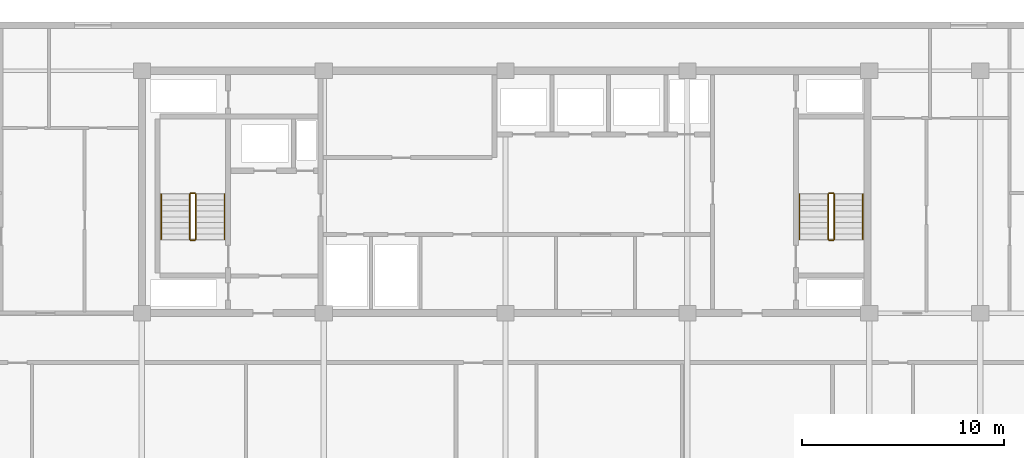
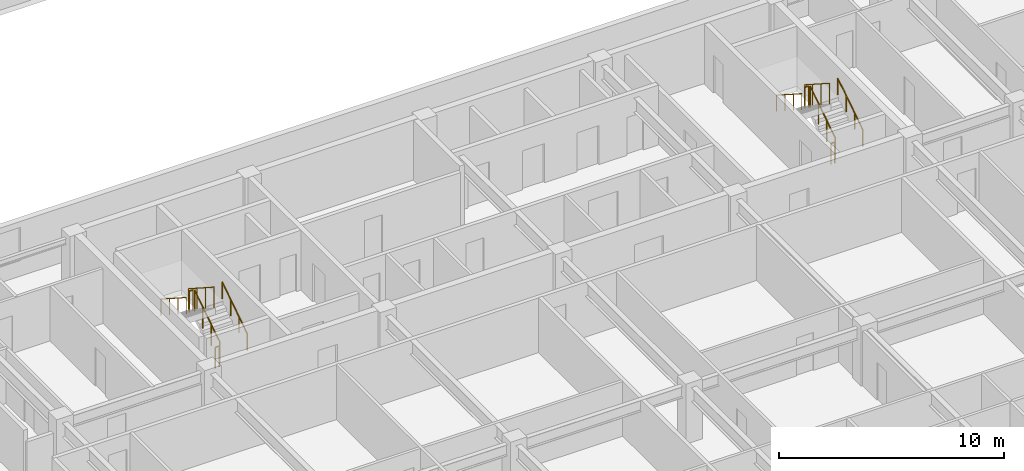
# One storey, part 19 of 22: 12 railings.
"""IFC4 building model written with IfcOpenShell, lengths in metres."""

from ifc_helpers import new_model, si_unit, direction, frame, origin, origin_2d, place, context, subcontext, project, spatial, circle, extrude, material, type_object, element, save


model = new_model("IFC4")

# Units and contexts
model_context = context("Model", 3, precision=1e-05, world=origin(), true_north=direction((0.0, 1.0)))
body_context = subcontext(model_context, "Body", "Model", "MODEL_VIEW")
ifc_project = project(units=[si_unit("LENGTHUNIT", "METRE"), si_unit("AREAUNIT", "SQUARE_METRE"), si_unit("VOLUMEUNIT", "CUBIC_METRE"), si_unit("PLANEANGLEUNIT", "RADIAN"), si_unit("MASSUNIT", "GRAM", prefix="KILO")], contexts=[model_context])

# Site, building, storey
site_placement = place(None, origin())
site = spatial("IfcSite", under=ifc_project, at=site_placement, CompositionType="ELEMENT")
building_placement = place(site_placement, origin())
building = spatial("IfcBuilding", under=site, at=building_placement, Name="Korimba Cascade Residences", CompositionType="ELEMENT")
storey_placement = place(building_placement, frame((0.0, 0.0, 132.800048828125)))
storey = spatial("IfcBuildingStorey", under=building, at=storey_placement, Name="L38", CompositionType="ELEMENT", Elevation=132.800048828125)

# Railings
ifc_material_1 = material(Name="Painted Steel Stairwell Guardrail", Category="steel")
railing_type_1 = type_object("IfcRailingType", Name="RLG-ST-GD1150", PredefinedType="GUARDRAIL", material=ifc_material_1)
railing_1_placement = place(storey_placement, frame((84.77001953125, 22.050048828125, 0.180419921875)))
element("IfcRailing", 1, at=railing_1_placement, inside=storey, type_object=railing_type_1, Name="L38 ST-E1 stair guard 1", PredefinedType="GUARDRAIL", context=body_context, shape_type="SweptSolid", body=[
    extrude(circle(Radius=0.02392578125, at=origin_2d()), frame((0.0, 0.0, 1.1259765625), z_axis=(0.0, 0.840394893359, 0.541974559565), x_axis=(-1.0, 0.0, 0.0)), (0.0, 0.0, 1.0), 2.665283203125),
    extrude(circle(Radius=0.02099609375, at=origin_2d()), origin(), (0.0, 0.0, 1.0), 1.101806640625),
    extrude(circle(Radius=0.02099609375, at=origin_2d()), frame((0.0, 0.74658203125, 0.4814453125)), (0.0, 0.0, 1.0), 1.101806640625),
    extrude(circle(Radius=0.02099609375, at=origin_2d()), frame((0.0, 1.493408203125, 0.963134765625)), (0.0, 0.0, 1.0), 1.101806640625),
    extrude(circle(Radius=0.02099609375, at=origin_2d()), frame((0.0, 2.239990234375, 1.444580078125)), (0.0, 0.0, 1.0), 1.101806640625),
])
railing_2_placement = place(storey_placement, frame((84.719970703125, 24.340087890625, 1.625)))
element("IfcRailing", 2, at=railing_2_placement, inside=storey, type_object=railing_type_1, Name="L38 ST-E1 stair guard 2", PredefinedType="GUARDRAIL", context=body_context, shape_type="SweptSolid", body=[
    extrude(circle(Radius=0.02392578125, at=origin_2d()), frame((0.0, 0.0, 1.1259765625), z_axis=(-1.0, 0.0, 0.0), x_axis=(0.0, -1.0, 0.0)), (0.0, 0.0, 1.0), 0.199951171875),
    extrude(circle(Radius=0.02099609375, at=origin_2d()), origin(), (0.0, 0.0, 1.0), 1.101806640625),
    extrude(circle(Radius=0.02099609375, at=origin_2d()), frame((-0.199951171875, 0.0, 0.0)), (0.0, 0.0, 1.0), 1.101806640625),
])
railing_3_placement = place(storey_placement, frame((84.469970703125, 24.2900390625, 1.805419921875)))
element("IfcRailing", 3, at=railing_3_placement, inside=storey, type_object=railing_type_1, Name="L38 ST-E1 stair guard 3", PredefinedType="GUARDRAIL", context=body_context, shape_type="SweptSolid", body=[
    extrude(circle(Radius=0.02392578125, at=origin_2d()), frame((0.0, 0.0, 1.1259765625), z_axis=(0.0, -0.840394893359, 0.541974559565), x_axis=(1.0, 0.0, 0.0)), (0.0, 0.0, 1.0), 2.665283203125),
    extrude(circle(Radius=0.02099609375, at=origin_2d()), origin(), (0.0, 0.0, 1.0), 1.101806640625),
    extrude(circle(Radius=0.02099609375, at=origin_2d()), frame((0.0, -0.74658203125, 0.4814453125)), (0.0, 0.0, 1.0), 1.101806640625),
    extrude(circle(Radius=0.02099609375, at=origin_2d()), frame((0.0, -1.493408203125, 0.963134765625)), (0.0, 0.0, 1.0), 1.101806640625),
    extrude(circle(Radius=0.02099609375, at=origin_2d()), frame((0.0, -2.239990234375, 1.444580078125)), (0.0, 0.0, 1.0), 1.101806640625),
])
railing_4_placement = place(storey_placement, frame((84.719970703125, 22.0, 0.0)))
element("IfcRailing", 4, at=railing_4_placement, inside=storey, type_object=railing_type_1, Name="L38 ST-E1 stair guard 4", PredefinedType="GUARDRAIL", context=body_context, shape_type="SweptSolid", body=[
    extrude(circle(Radius=0.02392578125, at=origin_2d()), frame((0.0, 0.0, 1.1259765625), z_axis=(-1.0, 0.0, 0.0), x_axis=(0.0, -1.0, 0.0)), (0.0, 0.0, 1.0), 0.199951171875),
    extrude(circle(Radius=0.02099609375, at=origin_2d()), origin(), (0.0, 0.0, 1.0), 1.101806640625),
    extrude(circle(Radius=0.02099609375, at=origin_2d()), frame((-0.199951171875, 0.0, 0.0)), (0.0, 0.0, 1.0), 1.101806640625),
])
railing_5_placement = place(storey_placement, frame((116.3701171875, 22.050048828125, 0.180419921875)))
element("IfcRailing", 5, at=railing_5_placement, inside=storey, type_object=railing_type_1, Name="L38 ST-E2 stair guard 1", PredefinedType="GUARDRAIL", context=body_context, shape_type="SweptSolid", body=[
    extrude(circle(Radius=0.02392578125, at=origin_2d()), frame((0.0, 0.0, 1.1259765625), z_axis=(0.0, 0.840394893359, 0.541974559565), x_axis=(-1.0, 0.0, 0.0)), (0.0, 0.0, 1.0), 2.665283203125),
    extrude(circle(Radius=0.02099609375, at=origin_2d()), origin(), (0.0, 0.0, 1.0), 1.101806640625),
    extrude(circle(Radius=0.02099609375, at=origin_2d()), frame((0.0, 0.74658203125, 0.4814453125)), (0.0, 0.0, 1.0), 1.101806640625),
    extrude(circle(Radius=0.02099609375, at=origin_2d()), frame((0.0, 1.493408203125, 0.963134765625)), (0.0, 0.0, 1.0), 1.101806640625),
    extrude(circle(Radius=0.02099609375, at=origin_2d()), frame((0.0, 2.239990234375, 1.444580078125)), (0.0, 0.0, 1.0), 1.101806640625),
])
railing_6_placement = place(storey_placement, frame((116.320068359375, 24.340087890625, 1.625)))
element("IfcRailing", 6, at=railing_6_placement, inside=storey, type_object=railing_type_1, Name="L38 ST-E2 stair guard 2", PredefinedType="GUARDRAIL", context=body_context, shape_type="SweptSolid", body=[
    extrude(circle(Radius=0.02392578125, at=origin_2d()), frame((0.0, 0.0, 1.1259765625), z_axis=(-1.0, 0.0, 0.0), x_axis=(0.0, -1.0, 0.0)), (0.0, 0.0, 1.0), 0.199951171875),
    extrude(circle(Radius=0.02099609375, at=origin_2d()), origin(), (0.0, 0.0, 1.0), 1.101806640625),
    extrude(circle(Radius=0.02099609375, at=origin_2d()), frame((-0.199951171875, 0.0, 0.0)), (0.0, 0.0, 1.0), 1.101806640625),
])
railing_7_placement = place(storey_placement, frame((116.070068359375, 24.2900390625, 1.805419921875)))
element("IfcRailing", 7, at=railing_7_placement, inside=storey, type_object=railing_type_1, Name="L38 ST-E2 stair guard 3", PredefinedType="GUARDRAIL", context=body_context, shape_type="SweptSolid", body=[
    extrude(circle(Radius=0.02392578125, at=origin_2d()), frame((0.0, 0.0, 1.1259765625), z_axis=(0.0, -0.840394893359, 0.541974559565), x_axis=(1.0, 0.0, 0.0)), (0.0, 0.0, 1.0), 2.665283203125),
    extrude(circle(Radius=0.02099609375, at=origin_2d()), origin(), (0.0, 0.0, 1.0), 1.101806640625),
    extrude(circle(Radius=0.02099609375, at=origin_2d()), frame((0.0, -0.74658203125, 0.4814453125)), (0.0, 0.0, 1.0), 1.101806640625),
    extrude(circle(Radius=0.02099609375, at=origin_2d()), frame((0.0, -1.493408203125, 0.963134765625)), (0.0, 0.0, 1.0), 1.101806640625),
    extrude(circle(Radius=0.02099609375, at=origin_2d()), frame((0.0, -2.239990234375, 1.444580078125)), (0.0, 0.0, 1.0), 1.101806640625),
])
railing_8_placement = place(storey_placement, frame((116.320068359375, 22.0, 0.0)))
element("IfcRailing", 8, at=railing_8_placement, inside=storey, type_object=railing_type_1, Name="L38 ST-E2 stair guard 4", PredefinedType="GUARDRAIL", context=body_context, shape_type="SweptSolid", body=[
    extrude(circle(Radius=0.02392578125, at=origin_2d()), frame((0.0, 0.0, 1.1259765625), z_axis=(-1.0, 0.0, 0.0), x_axis=(0.0, -1.0, 0.0)), (0.0, 0.0, 1.0), 0.199951171875),
    extrude(circle(Radius=0.02099609375, at=origin_2d()), origin(), (0.0, 0.0, 1.0), 1.101806640625),
    extrude(circle(Radius=0.02099609375, at=origin_2d()), frame((-0.199951171875, 0.0, 0.0)), (0.0, 0.0, 1.0), 1.101806640625),
])
ifc_material_2 = material(Name="Brushed Stainless Steel Handrail", Category="steel")
railing_type_2 = type_object("IfcRailingType", Name="RLG-ST-HR900", PredefinedType="HANDRAIL", material=ifc_material_2)
railing_9_placement = place(storey_placement, frame((86.18994140625, 22.050048828125, 0.364990234375)))
element("IfcRailing", 9, at=railing_9_placement, inside=storey, type_object=railing_type_2, Name="L38 ST-E1 stair handrail 1", PredefinedType="HANDRAIL", context=body_context, shape_type="SweptSolid", body=[
    extrude(circle(Radius=0.02392578125, at=origin_2d()), frame((0.0, 0.0, 0.8759765625), z_axis=(0.0, 0.840436612492, 0.541909863706), x_axis=(-1.0, 0.0, 0.0)), (0.0, 0.0, 1.0), 2.665283203125),
    extrude(circle(Radius=0.02099609375, at=origin_2d()), origin(), (0.0, 0.0, 1.0), 0.851806640625),
    extrude(circle(Radius=0.02099609375, at=origin_2d()), frame((0.0, 0.74658203125, 0.4814453125)), (0.0, 0.0, 1.0), 0.851806640625),
    extrude(circle(Radius=0.02099609375, at=origin_2d()), frame((0.0, 1.493408203125, 0.962890625)), (0.0, 0.0, 1.0), 0.851806640625),
    extrude(circle(Radius=0.02099609375, at=origin_2d()), frame((0.0, 2.239990234375, 1.4443359375)), (0.0, 0.0, 1.0), 0.851806640625),
])
railing_10_placement = place(storey_placement, frame((83.050048828125, 24.2900390625, 1.989990234375)))
element("IfcRailing", 10, at=railing_10_placement, inside=storey, type_object=railing_type_2, Name="L38 ST-E1 stair handrail 2", PredefinedType="HANDRAIL", context=body_context, shape_type="SweptSolid", body=[
    extrude(circle(Radius=0.02392578125, at=origin_2d()), frame((0.0, 0.0, 0.8759765625), z_axis=(0.0, -0.840436612492, 0.541909863706), x_axis=(1.0, 0.0, 0.0)), (0.0, 0.0, 1.0), 2.665283203125),
    extrude(circle(Radius=0.02099609375, at=origin_2d()), origin(), (0.0, 0.0, 1.0), 0.851806640625),
    extrude(circle(Radius=0.02099609375, at=origin_2d()), frame((0.0, -0.74658203125, 0.4814453125)), (0.0, 0.0, 1.0), 0.851806640625),
    extrude(circle(Radius=0.02099609375, at=origin_2d()), frame((0.0, -1.493408203125, 0.962890625)), (0.0, 0.0, 1.0), 0.851806640625),
    extrude(circle(Radius=0.02099609375, at=origin_2d()), frame((0.0, -2.239990234375, 1.4443359375)), (0.0, 0.0, 1.0), 0.851806640625),
])
railing_11_placement = place(storey_placement, frame((117.7900390625, 22.050048828125, 0.364990234375)))
element("IfcRailing", 11, at=railing_11_placement, inside=storey, type_object=railing_type_2, Name="L38 ST-E2 stair handrail 1", PredefinedType="HANDRAIL", context=body_context, shape_type="SweptSolid", body=[
    extrude(circle(Radius=0.02392578125, at=origin_2d()), frame((0.0, 0.0, 0.8759765625), z_axis=(0.0, 0.840436612492, 0.541909863706), x_axis=(-1.0, 0.0, 0.0)), (0.0, 0.0, 1.0), 2.665283203125),
    extrude(circle(Radius=0.02099609375, at=origin_2d()), origin(), (0.0, 0.0, 1.0), 0.851806640625),
    extrude(circle(Radius=0.02099609375, at=origin_2d()), frame((0.0, 0.74658203125, 0.4814453125)), (0.0, 0.0, 1.0), 0.851806640625),
    extrude(circle(Radius=0.02099609375, at=origin_2d()), frame((0.0, 1.493408203125, 0.962890625)), (0.0, 0.0, 1.0), 0.851806640625),
    extrude(circle(Radius=0.02099609375, at=origin_2d()), frame((0.0, 2.239990234375, 1.4443359375)), (0.0, 0.0, 1.0), 0.851806640625),
])
railing_12_placement = place(storey_placement, frame((114.64990234375, 24.2900390625, 1.989990234375)))
element("IfcRailing", 12, at=railing_12_placement, inside=storey, type_object=railing_type_2, Name="L38 ST-E2 stair handrail 2", PredefinedType="HANDRAIL", context=body_context, shape_type="SweptSolid", body=[
    extrude(circle(Radius=0.02392578125, at=origin_2d()), frame((0.0, 0.0, 0.8759765625), z_axis=(0.0, -0.840436612492, 0.541909863706), x_axis=(1.0, 0.0, 0.0)), (0.0, 0.0, 1.0), 2.665283203125),
    extrude(circle(Radius=0.02099609375, at=origin_2d()), origin(), (0.0, 0.0, 1.0), 0.851806640625),
    extrude(circle(Radius=0.02099609375, at=origin_2d()), frame((0.0, -0.74658203125, 0.4814453125)), (0.0, 0.0, 1.0), 0.851806640625),
    extrude(circle(Radius=0.02099609375, at=origin_2d()), frame((0.0, -1.493408203125, 0.962890625)), (0.0, 0.0, 1.0), 0.851806640625),
    extrude(circle(Radius=0.02099609375, at=origin_2d()), frame((0.0, -2.239990234375, 1.4443359375)), (0.0, 0.0, 1.0), 0.851806640625),
])

save(model, "model.ifc")
